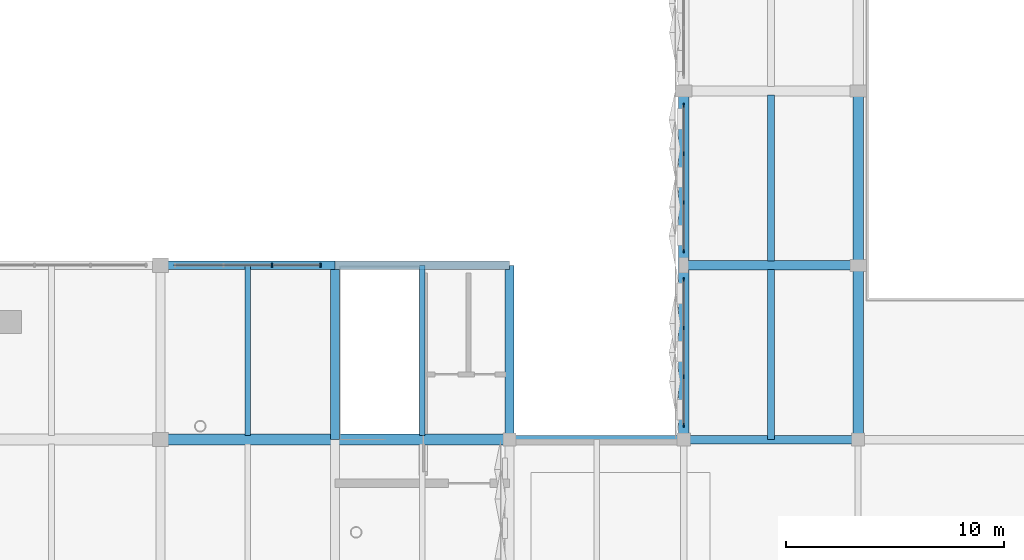
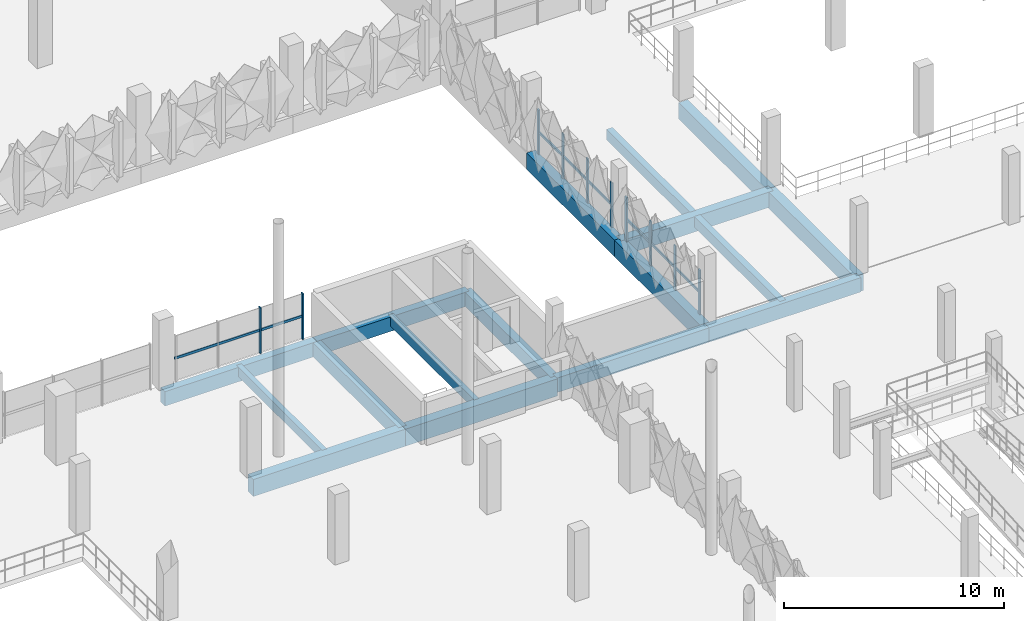
# One storey, part 48 of 123: 17 beams, 13 members, 3 elements without a shape of their own.
"""IFC4 building model written with IfcOpenShell, lengths in metres."""

from ifc_helpers import new_model, si_unit, derived_unit, direction, frame, origin, origin_2d, place, context, subcontext, project, spatial, rectangle, extrude, material, layer, layer_set, material_profile, profile_set, type_object, element, aggregate, save


model = new_model("IFC4")

# Units and contexts
model_context = context("Model", 3, precision=1e-05, world=origin(), true_north=direction((0.0, 1.0)))
body_context = subcontext(model_context, "Body", "Model", "MODEL_VIEW")
ifc_project = project(units=[si_unit("LENGTHUNIT", "METRE"), si_unit("AREAUNIT", "SQUARE_METRE"), si_unit("VOLUMEUNIT", "CUBIC_METRE"), si_unit("PLANEANGLEUNIT", "RADIAN"), si_unit("MASSUNIT", "GRAM", prefix="KILO"), si_unit("THERMODYNAMICTEMPERATUREUNIT", "KELVIN"), derived_unit("THERMALTRANSMITTANCEUNIT", [(si_unit("POWERUNIT", "WATT"), 1), (si_unit("AREAUNIT", "SQUARE_METRE"), -1), (si_unit("THERMODYNAMICTEMPERATUREUNIT", "KELVIN"), -1)])], contexts=[model_context])

# Site, building, storey
site_placement = place(None, origin())
site = spatial("IfcSite", under=ifc_project, at=site_placement, CompositionType="ELEMENT")
building_placement = place(site_placement, origin())
building = spatial("IfcBuilding", under=site, at=building_placement, Name="Haiyu Intermodal Mobility Hub", CompositionType="ELEMENT")
storey_placement = place(building_placement, frame((0.0, 0.0, 5.60009765625)))
storey = spatial("IfcBuildingStorey", under=building, at=storey_placement, Name="L01", CompositionType="ELEMENT", Elevation=5.60009765625)

# Beams
ifc_material_1 = material(Name="Concrete C40", Category="concrete")
ifc_material_profile_1 = material_profile(ifc_material_1, rectangle(XDim=0.5, YDim=0.949951171875, at=origin_2d()), Name="RCB500x950")
ifc_profile_set_1 = profile_set([ifc_material_profile_1], Name="Concrete C40")
beam_type_1 = type_object("IfcBeamType", Name="BM-CB01", PredefinedType="BEAM", material=ifc_profile_set_1)
for number, where, z_axis, x_axis, name in (
    (1, (138.0, 80.0, -0.735107421875), (1.0, 0.0, 0.0), (0.0, 1.0, 0.0), "BM-V1G-L01-029"),
    (2, (146.0, 80.0, -0.735107421875), (1.0, 0.0, 0.0), (0.0, 1.0, 0.0), "BM-V1G-L01-030"),
):
    element("IfcBeam", number, at=place(storey_placement, frame(where, z_axis=z_axis, x_axis=x_axis)), inside=storey, type_object=beam_type_1, Name=name, PredefinedType="BEAM", context=body_context, shape_type="SweptSolid", body=[
        extrude(rectangle(XDim=0.5, YDim=0.949951171875, at=origin_2d()), origin(), (0.0, 0.0, 1.0), 8.0),
    ])
ifc_material_profile_2 = material_profile(ifc_material_1, rectangle(XDim=0.449951171875, YDim=0.85009765625, at=origin_2d()), Name="RCB450x850")
ifc_profile_set_2 = profile_set([ifc_material_profile_2], Name="Concrete C40")
beam_type_2 = type_object("IfcBeamType", Name="BM-CB02", PredefinedType="BEAM", material=ifc_profile_set_2)
beam_1_placement = place(storey_placement, frame((162.0, 88.0, -0.68505859375), z_axis=(1.0, 0.0, 0.0), x_axis=(0.0, 1.0, 0.0)))
element("IfcBeam", 3, at=beam_1_placement, inside=storey, type_object=beam_type_2, Name="BM-V6G-L01-007", PredefinedType="BEAM", context=body_context, shape_type="SweptSolid", body=[
    extrude(rectangle(XDim=0.449951171875, YDim=0.85009765625, at=origin_2d()), origin(), (0.0, 0.0, 1.0), 8.0),
])
ifc_material_profile_3 = material_profile(ifc_material_1, rectangle(XDim=0.39990234375, YDim=0.800048828125, at=origin_2d()), Name="RCB400x800")
ifc_profile_set_3 = profile_set([ifc_material_profile_3], Name="Concrete C40")
beam_type_3 = type_object("IfcBeamType", Name="BM-CB05", PredefinedType="BEAM", material=ifc_profile_set_3)
for number, where, z_axis, x_axis, name in (
    (4, (138.0, 88.0, -0.66015625), (1.0, 0.0, 0.0), (0.0, 1.0, 0.0), "BM-V1G-L01-039"),
    (5, (146.0, 88.0, -0.66015625), (1.0, 0.0, 0.0), (0.0, 1.0, 0.0), "BM-V1G-L01-040"),
    (6, (154.0, 80.0, -0.66015625), (1.0, 0.0, 0.0), (0.0, 1.0, 0.0), "BM-V5G-L01-056"),
    (7, (162.0, 80.0, -0.66015625), (1.0, 0.0, 0.0), (0.0, 1.0, 0.0), "BM-V5G-L01-057"),
):
    element("IfcBeam", number, at=place(storey_placement, frame(where, z_axis=z_axis, x_axis=x_axis)), inside=storey, type_object=beam_type_3, Name=name, PredefinedType="BEAM", context=body_context, shape_type="SweptSolid", body=[
        extrude(rectangle(XDim=0.39990234375, YDim=0.800048828125, at=origin_2d()), origin(), (0.0, 0.0, 1.0), 8.0),
    ])
ifc_material_profile_4 = material_profile(ifc_material_1, rectangle(XDim=0.47998046875, YDim=0.919921875, at=origin_2d()), Name="B480x920")
ifc_profile_set_4 = profile_set([ifc_material_profile_4], Name="Concrete C40")
beam_type_4 = type_object("IfcBeamType", Name="BM-CB13", PredefinedType="BEAM", material=ifc_profile_set_4)
for number, where, z_axis, x_axis, name in (
    (8, (170.0, 80.0, -0.72021484375), (0.0, 1.0, 0.0), (-1.0, 0.0, 0.0), "BM-V6T-L01-009"),
    (9, (170.0, 88.0, -0.72021484375), (0.0, 1.0, 0.0), (-1.0, 0.0, 0.0), "BM-V6T-L01-010"),
):
    element("IfcBeam", number, at=place(storey_placement, frame(where, z_axis=z_axis, x_axis=x_axis)), inside=storey, type_object=beam_type_4, Name=name, PredefinedType="BEAM", context=body_context, shape_type="SweptSolid", body=[
        extrude(rectangle(XDim=0.47998046875, YDim=0.919921875, at=origin_2d()), origin(), (0.0, 0.0, 1.0), 8.0),
    ])
ifc_material_profile_5 = material_profile(ifc_material_1, rectangle(XDim=0.47998046875, YDim=0.919921875, at=origin_2d()), Name="B480x920")
ifc_profile_set_5 = profile_set([ifc_material_profile_5], Name="Concrete C40")
beam_type_5 = type_object("IfcBeamType", Name="BM-CB13-EXT", PredefinedType="BEAM", material=ifc_profile_set_5)
for number, where, z_axis, x_axis, name in (
    (10, (162.0, 80.0, -0.72021484375), (0.0, 1.0, 0.0), (-1.0, 0.0, 0.0), "BM-V6T-L01-001"),
    (11, (162.0, 88.0, -0.72021484375), (0.0, 1.0, 0.0), (-1.0, 0.0, 0.0), "BM-V6T-L01-002"),
):
    element("IfcBeam", number, at=place(storey_placement, frame(where, z_axis=z_axis, x_axis=x_axis)), inside=storey, type_object=beam_type_5, Name=name, PredefinedType="BEAM", context=body_context, shape_type="SweptSolid", body=[
        extrude(rectangle(XDim=0.47998046875, YDim=0.919921875, at=origin_2d()), origin(), (0.0, 0.0, 1.0), 8.0),
    ])
ifc_material_profile_6 = material_profile(ifc_material_1, rectangle(XDim=0.419921875, YDim=0.780029296875, at=origin_2d()), Name="B420x780")
ifc_profile_set_6 = profile_set([ifc_material_profile_6], Name="Concrete C40")
beam_type_6 = type_object("IfcBeamType", Name="BM-CB14", PredefinedType="BEAM", material=ifc_profile_set_6)
for number, where, z_axis, x_axis, name in (
    (12, (146.0, 80.0, -0.650146484375), (0.0, 1.0, 0.0), (-1.0, 0.0, 0.0), "BM-V1T-L01-030"),
    (13, (154.0, 80.0, -0.650146484375), (0.0, 1.0, 0.0), (-1.0, 0.0, 0.0), "BM-V1T-L01-033"),
):
    element("IfcBeam", number, at=place(storey_placement, frame(where, z_axis=z_axis, x_axis=x_axis)), inside=storey, type_object=beam_type_6, Name=name, PredefinedType="BEAM", context=body_context, shape_type="SweptSolid", body=[
        extrude(rectangle(XDim=0.419921875, YDim=0.780029296875, at=origin_2d()), origin(), (0.0, 0.0, 1.0), 8.0),
    ])
ifc_material_profile_7 = material_profile(ifc_material_1, rectangle(XDim=0.320068359375, YDim=0.580078125, at=origin_2d()), Name="B320x580")
ifc_profile_set_7 = profile_set([ifc_material_profile_7], Name="Concrete C40")
beam_type_7 = type_object("IfcBeamType", Name="BM-CB17", PredefinedType="JOIST", material=ifc_profile_set_7)
beam_2_placement = place(storey_placement, frame((166.0, 80.0, -0.550048828125), z_axis=(0.0, 1.0, 0.0), x_axis=(-1.0, 0.0, 0.0)))
element("IfcBeam", 14, at=beam_2_placement, inside=storey, type_object=beam_type_7, Name="BM-V6J-L01-001", PredefinedType="JOIST", context=body_context, shape_type="SweptSolid", body=[
    extrude(rectangle(XDim=0.320068359375, YDim=0.580078125, at=origin_2d()), origin(), (0.0, 0.0, 1.0), 7.804931640625),
])
beam_3_placement = place(storey_placement, frame((166.0, 88.195068359375, -0.550048828125), z_axis=(0.0, 1.0, 0.0), x_axis=(-1.0, 0.0, 0.0)))
element("IfcBeam", 15, at=beam_3_placement, inside=storey, type_object=beam_type_7, Name="BM-V6J-L01-002", PredefinedType="JOIST", context=body_context, shape_type="SweptSolid", body=[
    extrude(rectangle(XDim=0.320068359375, YDim=0.580078125, at=origin_2d()), origin(), (0.0, 0.0, 1.0), 7.60986328125),
])
ifc_material_profile_8 = material_profile(ifc_material_1, rectangle(XDim=0.260009765625, YDim=0.52001953125, at=origin_2d()), Name="B260x520")
ifc_profile_set_8 = profile_set([ifc_material_profile_8], Name="Concrete C40")
beam_type_8 = type_object("IfcBeamType", Name="BM-CB18", PredefinedType="JOIST", material=ifc_profile_set_8)
for number, where, z_axis, x_axis, name in (
    (16, (142.0, 80.195068359375, -0.52001953125), (0.0, 1.0, 0.0), (-1.0, 0.0, 0.0), "BM-V1J-L01-027"),
    (17, (150.0, 80.195068359375, -0.52001953125), (0.0, 1.0, 0.0), (-1.0, 0.0, 0.0), "BM-V1J-L01-030"),
):
    element("IfcBeam", number, at=place(storey_placement, frame(where, z_axis=z_axis, x_axis=x_axis)), inside=storey, type_object=beam_type_8, Name=name, PredefinedType="JOIST", context=body_context, shape_type="SweptSolid", body=[
        extrude(rectangle(XDim=0.260009765625, YDim=0.52001953125, at=origin_2d()), origin(), (0.0, 0.0, 1.0), 7.804931640625),
    ])

# Curtain wall, members
ifc_material_2 = material(Name="Low-e laminated insulating glass", Category="glass")
ifc_layer_1 = layer(ifc_material_2, 0.25)
ifc_layer_set_1 = layer_set([ifc_layer_1], Name="Low-e laminated insulating glass")
curtain_wall_type_1 = type_object("IfcCurtainWallType", Name="CW-CW02", PredefinedType="NOTDEFINED", material=ifc_layer_set_1)
curtain_wall_1_placement = place(storey_placement, origin())
curtain_wall_1 = element("IfcCurtainWall", 18, at=curtain_wall_1_placement, inside=storey, type_object=curtain_wall_type_1, Name="Curtain Wall CW-V1N-L01-032", PredefinedType="NOTDEFINED")
ifc_material_3 = material(Name="Anodised aluminium 6063-T6", Category="aluminium")
ifc_material_profile_9 = material_profile(ifc_material_3, rectangle(XDim=0.06494140625, YDim=0.1650390625, at=origin_2d()), Name="ALU65x165")
ifc_profile_set_9 = profile_set([ifc_material_profile_9], Name="Anodised aluminium 6063-T6")
member_type_1 = type_object("IfcMemberType", Name="CWM-ML02", PredefinedType="MULLION", material=ifc_profile_set_9)
member_1_placement = place(storey_placement, frame((145.340087890625, 88.0, 0.0), z_axis=(0.0, 0.0, 1.0), x_axis=(1.0, 0.0, 0.0)))
member_1 = element("IfcMember", 19, at=member_1_placement, type_object=member_type_1, Name="CW-V1N-L01-032-ML01", PredefinedType="MULLION", context=body_context, shape_type="SweptSolid", body=[
    extrude(rectangle(XDim=0.06494140625, YDim=0.1650390625, at=origin_2d()), origin(), (0.0, 0.0, 1.0), 2.5498046875),
])
member_2_placement = place(storey_placement, frame((143.113037109375, 88.0, 0.0), z_axis=(0.0, 0.0, 1.0), x_axis=(1.0, 0.0, 0.0)))
member_2 = element("IfcMember", 20, at=member_2_placement, type_object=member_type_1, Name="CW-V1N-L01-032-ML02", PredefinedType="MULLION", context=body_context, shape_type="SweptSolid", body=[
    extrude(rectangle(XDim=0.06494140625, YDim=0.1650390625, at=origin_2d()), origin(), (0.0, 0.0, 1.0), 2.5498046875),
])

ifc_layer_2 = layer(ifc_material_2, 0.2099609375)
ifc_layer_set_2 = layer_set([ifc_layer_2], Name="Low-e laminated insulating glass")
curtain_wall_type_2 = type_object("IfcCurtainWallType", Name="CW-CW04", PredefinedType="NOTDEFINED", material=ifc_layer_set_2)
curtain_wall_2_placement = place(storey_placement, origin())
curtain_wall_2 = element("IfcCurtainWall", 21, at=curtain_wall_2_placement, inside=storey, type_object=curtain_wall_type_2, Name="Curtain Wall CW-V6W-L01-143", PredefinedType="NOTDEFINED")
member_3_placement = place(storey_placement, frame((162.0, 87.340087890625, 0.0), z_axis=(0.0, 0.0, 1.0), x_axis=(1.0, 0.0, 0.0)))
member_3 = element("IfcMember", 22, at=member_3_placement, type_object=member_type_1, Name="CW-V6W-L01-143-ML01", PredefinedType="MULLION", context=body_context, shape_type="SweptSolid", body=[
    extrude(rectangle(XDim=0.06494140625, YDim=0.1650390625, at=origin_2d()), origin(), (0.0, 0.0, 1.0), 2.47998046875),
])
member_4_placement = place(storey_placement, frame((162.0, 85.113037109375, 0.0), z_axis=(0.0, 0.0, 1.0), x_axis=(1.0, 0.0, 0.0)))
member_4 = element("IfcMember", 23, at=member_4_placement, type_object=member_type_1, Name="CW-V6W-L01-143-ML02", PredefinedType="MULLION", context=body_context, shape_type="SweptSolid", body=[
    extrude(rectangle(XDim=0.06494140625, YDim=0.1650390625, at=origin_2d()), origin(), (0.0, 0.0, 1.0), 2.47998046875),
])
member_5_placement = place(storey_placement, frame((162.0, 82.886962890625, 0.0), z_axis=(0.0, 0.0, 1.0), x_axis=(1.0, 0.0, 0.0)))
member_5 = element("IfcMember", 24, at=member_5_placement, type_object=member_type_1, Name="CW-V6W-L01-143-ML03", PredefinedType="MULLION", context=body_context, shape_type="SweptSolid", body=[
    extrude(rectangle(XDim=0.06494140625, YDim=0.1650390625, at=origin_2d()), origin(), (0.0, 0.0, 1.0), 2.47998046875),
])
member_6_placement = place(storey_placement, frame((162.0, 80.659912109375, 0.0), z_axis=(0.0, 0.0, 1.0), x_axis=(1.0, 0.0, 0.0)))
member_6 = element("IfcMember", 25, at=member_6_placement, type_object=member_type_1, Name="CW-V6W-L01-143-ML04", PredefinedType="MULLION", context=body_context, shape_type="SweptSolid", body=[
    extrude(rectangle(XDim=0.06494140625, YDim=0.1650390625, at=origin_2d()), origin(), (0.0, 0.0, 1.0), 2.47998046875),
])

curtain_wall_3_placement = place(storey_placement, origin())
curtain_wall_3 = element("IfcCurtainWall", 26, at=curtain_wall_3_placement, inside=storey, type_object=curtain_wall_type_2, Name="Curtain Wall CW-V6W-L01-144", PredefinedType="NOTDEFINED")
member_7_placement = place(storey_placement, frame((162.0, 95.340087890625, 0.0), z_axis=(0.0, 0.0, 1.0), x_axis=(1.0, 0.0, 0.0)))
member_7 = element("IfcMember", 27, at=member_7_placement, type_object=member_type_1, Name="CW-V6W-L01-144-ML01", PredefinedType="MULLION", context=body_context, shape_type="SweptSolid", body=[
    extrude(rectangle(XDim=0.06494140625, YDim=0.1650390625, at=origin_2d()), origin(), (0.0, 0.0, 1.0), 2.47998046875),
])
member_8_placement = place(storey_placement, frame((162.0, 93.113037109375, 0.0), z_axis=(0.0, 0.0, 1.0), x_axis=(1.0, 0.0, 0.0)))
member_8 = element("IfcMember", 28, at=member_8_placement, type_object=member_type_1, Name="CW-V6W-L01-144-ML02", PredefinedType="MULLION", context=body_context, shape_type="SweptSolid", body=[
    extrude(rectangle(XDim=0.06494140625, YDim=0.1650390625, at=origin_2d()), origin(), (0.0, 0.0, 1.0), 2.47998046875),
])
member_9_placement = place(storey_placement, frame((162.0, 90.886962890625, 0.0), z_axis=(0.0, 0.0, 1.0), x_axis=(1.0, 0.0, 0.0)))
member_9 = element("IfcMember", 29, at=member_9_placement, type_object=member_type_1, Name="CW-V6W-L01-144-ML03", PredefinedType="MULLION", context=body_context, shape_type="SweptSolid", body=[
    extrude(rectangle(XDim=0.06494140625, YDim=0.1650390625, at=origin_2d()), origin(), (0.0, 0.0, 1.0), 2.47998046875),
])
member_10_placement = place(storey_placement, frame((162.0, 88.659912109375, 0.0), z_axis=(0.0, 0.0, 1.0), x_axis=(1.0, 0.0, 0.0)))
member_10 = element("IfcMember", 30, at=member_10_placement, type_object=member_type_1, Name="CW-V6W-L01-144-ML04", PredefinedType="MULLION", context=body_context, shape_type="SweptSolid", body=[
    extrude(rectangle(XDim=0.06494140625, YDim=0.1650390625, at=origin_2d()), origin(), (0.0, 0.0, 1.0), 2.47998046875),
])

# Member
ifc_material_profile_10 = material_profile(ifc_material_3, rectangle(XDim=0.06494140625, YDim=0.135009765625, at=origin_2d()), Name="ALU65x135")
ifc_profile_set_10 = profile_set([ifc_material_profile_10], Name="Anodised aluminium 6063-T6")
member_type_2 = type_object("IfcMemberType", Name="CWM-TR02", PredefinedType="USERDEFINED", material=ifc_profile_set_10)
member_11_placement = place(storey_placement, frame((145.3798828125, 88.0, 1.27490234375), z_axis=(-1.0, 0.0, 0.0), x_axis=(0.0, -1.0, 0.0)))
member_11 = element("IfcMember", 31, at=member_11_placement, type_object=member_type_2, Name="CW-V1N-L01-032-TR01", ObjectType="TRANSOM", PredefinedType="USERDEFINED", context=body_context, shape_type="SweptSolid", body=[
    extrude(rectangle(XDim=0.06494140625, YDim=0.135009765625, at=origin_2d()), origin(), (0.0, 0.0, 1.0), 6.759765625),
])

aggregate(curtain_wall_1, [member_1, member_2, member_11])

member_12_placement = place(storey_placement, frame((162.0, 87.3798828125, 1.239990234375), z_axis=(0.0, -1.0, 0.0), x_axis=(1.0, 0.0, 0.0)))
member_12 = element("IfcMember", 32, at=member_12_placement, type_object=member_type_2, Name="CW-V6W-L01-143-TR01", ObjectType="TRANSOM", PredefinedType="USERDEFINED", context=body_context, shape_type="SweptSolid", body=[
    extrude(rectangle(XDim=0.06494140625, YDim=0.135009765625, at=origin_2d()), origin(), (0.0, 0.0, 1.0), 6.759765625),
])

aggregate(curtain_wall_2, [member_3, member_4, member_5, member_6, member_12])

member_13_placement = place(storey_placement, frame((162.0, 95.3798828125, 1.239990234375), z_axis=(0.0, -1.0, 0.0), x_axis=(1.0, 0.0, 0.0)))
member_13 = element("IfcMember", 33, at=member_13_placement, type_object=member_type_2, Name="CW-V6W-L01-144-TR01", ObjectType="TRANSOM", PredefinedType="USERDEFINED", context=body_context, shape_type="SweptSolid", body=[
    extrude(rectangle(XDim=0.06494140625, YDim=0.135009765625, at=origin_2d()), origin(), (0.0, 0.0, 1.0), 6.759765625),
])

aggregate(curtain_wall_3, [member_7, member_8, member_9, member_10, member_13])

save(model, "model.ifc")
